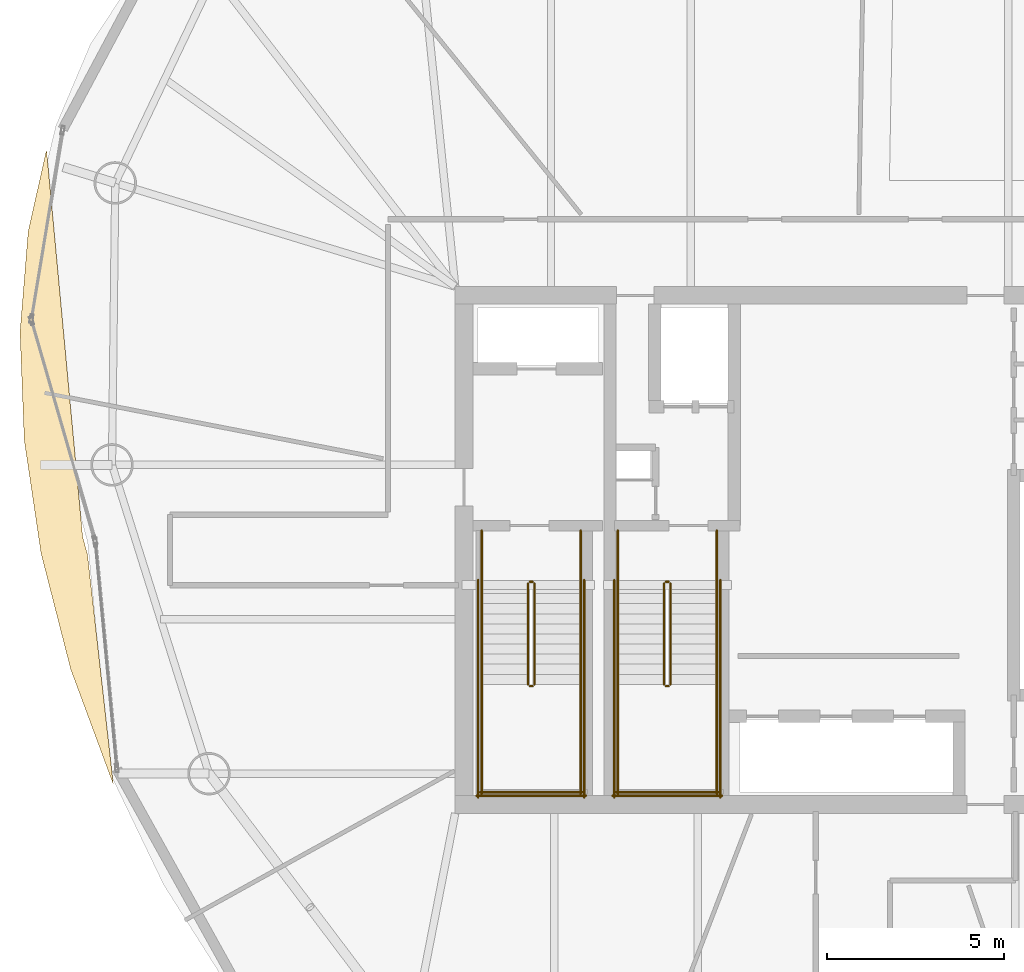
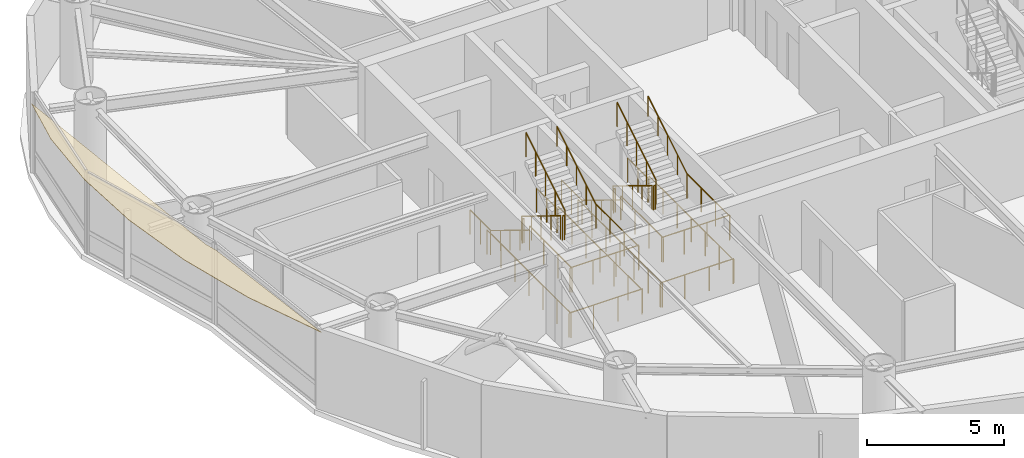
# One storey, part 19 of 21: 28 railings, 1 covering.
"""IFC4 building model written with IfcOpenShell, lengths in metres."""

from ifc_helpers import new_model, si_unit, direction, frame, origin, origin_2d, place, context, subcontext, project, spatial, polyline, circle, outline, extrude, material, layer, layer_set, type_object, element, save


model = new_model("IFC4")

# Units and contexts
model_context = context("Model", 3, precision=1e-05, world=origin(), true_north=direction((0.0, 1.0)))
body_context = subcontext(model_context, "Body", "Model", "MODEL_VIEW")
ifc_project = project(units=[si_unit("LENGTHUNIT", "METRE"), si_unit("AREAUNIT", "SQUARE_METRE"), si_unit("VOLUMEUNIT", "CUBIC_METRE"), si_unit("PLANEANGLEUNIT", "RADIAN"), si_unit("MASSUNIT", "GRAM", prefix="KILO")], contexts=[model_context])

# Site, building, storey
site_placement = place(None, origin())
site = spatial("IfcSite", under=ifc_project, at=site_placement, CompositionType="ELEMENT")
building_placement = place(site_placement, origin())
building = spatial("IfcBuilding", under=site, at=building_placement, Name="Bramvorn Convention Spire", CompositionType="ELEMENT")
storey_placement = place(building_placement, frame((0.0, 0.0, 186.60009765625)))
storey = spatial("IfcBuildingStorey", under=building, at=storey_placement, Name="L47", CompositionType="ELEMENT", Elevation=186.60009765625)

# Covering
ifc_material_1 = material(Name="Champagne Bronze Aluminium Composite Soffit", Category="aluminium")
ifc_layer = layer(ifc_material_1, 0.02490234375)
ifc_layer_set = layer_set([ifc_layer], Name="Champagne Bronze Aluminium Composite Soffit - COV-CLAD-SOFFIT-25")
covering_type = type_object("IfcCoveringType", Name="COV-CLAD-SOFFIT-25", PredefinedType="CLADDING", material=ifc_layer_set)
covering_placement = place(storey_placement, frame((0.0, 0.0, 3.594970703125)))
element("IfcCovering", 1, at=covering_placement, inside=storey, type_object=covering_type, Name="L46 double-height Sky Garden bronze soffit", PredefinedType="CLADDING", context=body_context, shape_type="SweptSolid", body=[
    extrude(outline(polyline([(15.039306640625, 25.902587890625), (15.876708984375, 22.62939453125), (17.0830078125, 19.368408203125), (16.353515625, 25.8671875), (16.216064453125, 26.3701171875), (15.193603515625, 37.3203125), (14.675537109375, 35.013916015625), (14.443359375, 32.160888671875), (14.563720703125, 29.104248046875), (15.039306640625, 25.902587890625)])), origin(), (0.0, 0.0, 1.0), 0.02490234375),
])

# Railings
ifc_material_2 = material(Name="Painted Steel Balustrade & Guardrail", Category="steel")
railing_type_1 = type_object("IfcRailingType", Name="RL-STAIR-GUARD-1100", PredefinedType="GUARDRAIL", material=ifc_material_2)
railing_1_placement = place(storey_placement, frame((28.81005859375, 25.050048828125, 0.1748046875)))
element("IfcRailing", 2, at=railing_1_placement, inside=storey, type_object=railing_type_1, Name="L47 ST1 stair guard 1", PredefinedType="GUARDRAIL", context=body_context, shape_type="SweptSolid", body=[
    extrude(circle(Radius=0.02392578125, at=origin_2d()), frame((0.0, 0.0, 1.076171875), z_axis=(0.0, -0.852179220489, 0.52325001306), x_axis=(1.0, 0.0, 0.0)), (0.0, 0.0, 1.0), 3.344482421875),
    extrude(circle(Radius=0.02099609375, at=origin_2d()), origin(), (0.0, 0.0, 1.0), 1.052001953125),
    extrude(circle(Radius=0.02099609375, at=origin_2d()), frame((0.0, -0.71240234375, 0.4375)), (0.0, 0.0, 1.0), 1.052001953125),
    extrude(circle(Radius=0.02099609375, at=origin_2d()), frame((0.0, -1.425048828125, 0.875)), (0.0, 0.0, 1.0), 1.052001953125),
    extrude(circle(Radius=0.02099609375, at=origin_2d()), frame((0.0, -2.1376953125, 1.3125)), (0.0, 0.0, 1.0), 1.052001953125),
    extrude(circle(Radius=0.02099609375, at=origin_2d()), frame((0.0, -2.85009765625, 1.75)), (0.0, 0.0, 1.0), 1.052001953125),
])
railing_2_placement = place(storey_placement, frame((28.860107421875, 22.14990234375, 1.9248046875)))
element("IfcRailing", 3, at=railing_2_placement, inside=storey, type_object=railing_type_1, Name="L47 ST1 stair guard 2", PredefinedType="GUARDRAIL", context=body_context, shape_type="SweptSolid", body=[
    extrude(circle(Radius=0.02392578125, at=origin_2d()), frame((0.0, 0.0, 1.076171875), z_axis=(1.0, 0.0, 0.0), x_axis=(0.0, 1.0, 0.0)), (0.0, 0.0, 1.0), 0.079833984375),
    extrude(circle(Radius=0.02099609375, at=origin_2d()), origin(), (0.0, 0.0, 1.0), 1.052001953125),
    extrude(circle(Radius=0.02099609375, at=origin_2d()), frame((0.079833984375, 0.0, 0.0)), (0.0, 0.0, 1.0), 1.052001953125),
])
for number, where, name in (
    (4, (27.5, 22.199951171875, 1.9248046875), "L47 ST1 stair guard 3"),
    (5, (30.300048828125, 22.199951171875, 1.9248046875), "L47 ST1 stair guard 4"),
):
    element("IfcRailing", number, at=place(storey_placement, frame(where)), inside=storey, type_object=railing_type_1, Name=name, PredefinedType="GUARDRAIL", context=body_context, shape_type="SweptSolid", body=[
        extrude(circle(Radius=0.02392578125, at=origin_2d()), frame((0.0, 0.0, 1.076171875), z_axis=(0.0, -1.0, 0.0), x_axis=(1.0, 0.0, 0.0)), (0.0, 0.0, 1.0), 3.099853515625),
        extrude(circle(Radius=0.02099609375, at=origin_2d()), origin(), (0.0, 0.0, 1.0), 1.052001953125),
        extrude(circle(Radius=0.02099609375, at=origin_2d()), frame((0.0, -1.033203125, 0.0)), (0.0, 0.0, 1.0), 1.052001953125),
        extrude(circle(Radius=0.02099609375, at=origin_2d()), frame((0.0, -2.066650390625, 0.0)), (0.0, 0.0, 1.0), 1.052001953125),
        extrude(circle(Radius=0.02099609375, at=origin_2d()), frame((0.0, -3.099853515625, 0.0)), (0.0, 0.0, 1.0), 1.052001953125),
    ])
railing_3_placement = place(storey_placement, frame((27.449951171875, 19.14990234375, 1.9248046875)))
element("IfcRailing", 6, at=railing_3_placement, inside=storey, type_object=railing_type_1, Name="L47 ST1 stair guard 5", PredefinedType="GUARDRAIL", context=body_context, shape_type="SweptSolid", body=[
    extrude(circle(Radius=0.02392578125, at=origin_2d()), frame((0.0, 0.0, 1.076171875), z_axis=(1.0, 0.0, 0.0), x_axis=(0.0, 1.0, 0.0)), (0.0, 0.0, 1.0), 2.900146484375),
    extrude(circle(Radius=0.02099609375, at=origin_2d()), origin(), (0.0, 0.0, 1.0), 1.052001953125),
    extrude(circle(Radius=0.02099609375, at=origin_2d()), frame((0.966796875, 0.0, 0.0)), (0.0, 0.0, 1.0), 1.052001953125),
    extrude(circle(Radius=0.02099609375, at=origin_2d()), frame((1.933349609375, 0.0, 0.0)), (0.0, 0.0, 1.0), 1.052001953125),
    extrude(circle(Radius=0.02099609375, at=origin_2d()), frame((2.900146484375, 0.0, 0.0)), (0.0, 0.0, 1.0), 1.052001953125),
])
railing_4_placement = place(storey_placement, frame((28.989990234375, 22.199951171875, 2.099853515625)))
element("IfcRailing", 7, at=railing_4_placement, inside=storey, type_object=railing_type_1, Name="L47 ST1 stair guard 6", PredefinedType="GUARDRAIL", context=body_context, shape_type="SweptSolid", body=[
    extrude(circle(Radius=0.02392578125, at=origin_2d()), frame((0.0, 0.0, 1.076171875), z_axis=(0.0, 0.852179220489, 0.52325001306), x_axis=(-1.0, 0.0, 0.0)), (0.0, 0.0, 1.0), 3.344482421875),
    extrude(circle(Radius=0.02099609375, at=origin_2d()), origin(), (0.0, 0.0, 1.0), 1.052001953125),
    extrude(circle(Radius=0.02099609375, at=origin_2d()), frame((0.0, 0.71240234375, 0.4375)), (0.0, 0.0, 1.0), 1.052001953125),
    extrude(circle(Radius=0.02099609375, at=origin_2d()), frame((0.0, 1.425048828125, 0.875)), (0.0, 0.0, 1.0), 1.052001953125),
    extrude(circle(Radius=0.02099609375, at=origin_2d()), frame((0.0, 2.1376953125, 1.3125)), (0.0, 0.0, 1.0), 1.052001953125),
    extrude(circle(Radius=0.02099609375, at=origin_2d()), frame((0.0, 2.85009765625, 1.75)), (0.0, 0.0, 1.0), 1.052001953125),
])
railing_5_placement = place(storey_placement, frame((28.860107421875, 25.10009765625, 0.0)))
element("IfcRailing", 8, at=railing_5_placement, inside=storey, type_object=railing_type_1, Name="L47 ST1 stair guard 7", PredefinedType="GUARDRAIL", context=body_context, shape_type="SweptSolid", body=[
    extrude(circle(Radius=0.02392578125, at=origin_2d()), frame((0.0, 0.0, 1.076171875), z_axis=(1.0, 0.0, 0.0), x_axis=(0.0, 1.0, 0.0)), (0.0, 0.0, 1.0), 0.079833984375),
    extrude(circle(Radius=0.02099609375, at=origin_2d()), origin(), (0.0, 0.0, 1.0), 1.052001953125),
    extrude(circle(Radius=0.02099609375, at=origin_2d()), frame((0.079833984375, 0.0, 0.0)), (0.0, 0.0, 1.0), 1.052001953125),
])
for number, where, name in (
    (9, (27.5, 26.550048828125, 0.0), "L47 ST1 stair guard 8"),
    (10, (30.300048828125, 26.550048828125, 0.0), "L47 ST1 stair guard 9"),
):
    element("IfcRailing", number, at=place(storey_placement, frame(where)), inside=storey, type_object=railing_type_1, Name=name, PredefinedType="GUARDRAIL", context=body_context, shape_type="SweptSolid", body=[
        extrude(circle(Radius=0.02392578125, at=origin_2d()), frame((0.0, 0.0, 1.076171875), z_axis=(0.0, -1.0, 0.0), x_axis=(1.0, 0.0, 0.0)), (0.0, 0.0, 1.0), 1.5),
        extrude(circle(Radius=0.02099609375, at=origin_2d()), origin(), (0.0, 0.0, 1.0), 1.052001953125),
        extrude(circle(Radius=0.02099609375, at=origin_2d()), frame((0.0, -0.75, 0.0)), (0.0, 0.0, 1.0), 1.052001953125),
        extrude(circle(Radius=0.02099609375, at=origin_2d()), frame((0.0, -1.5, 0.0)), (0.0, 0.0, 1.0), 1.052001953125),
    ])
for number, where, name in (
    (11, (27.39990234375, 25.14990234375, 0.0), "L47 ST1 stair guard 10"),
    (12, (30.39990234375, 25.14990234375, 0.0), "L47 ST1 stair guard 11"),
):
    element("IfcRailing", number, at=place(storey_placement, frame(where)), inside=storey, type_object=railing_type_1, Name=name, PredefinedType="GUARDRAIL", context=body_context, shape_type="SweptSolid", body=[
        extrude(circle(Radius=0.02392578125, at=origin_2d()), frame((0.0, 0.0, 1.076171875), z_axis=(0.0, -1.0, 0.0), x_axis=(1.0, 0.0, 0.0)), (0.0, 0.0, 1.0), 6.14990234375),
        extrude(circle(Radius=0.02099609375, at=origin_2d()), origin(), (0.0, 0.0, 1.0), 1.052001953125),
        extrude(circle(Radius=0.02099609375, at=origin_2d()), frame((0.0, -1.02490234375, 0.0)), (0.0, 0.0, 1.0), 1.052001953125),
        extrude(circle(Radius=0.02099609375, at=origin_2d()), frame((0.0, -2.050048828125, 0.0)), (0.0, 0.0, 1.0), 1.052001953125),
        extrude(circle(Radius=0.02099609375, at=origin_2d()), frame((0.0, -3.074951171875, 0.0)), (0.0, 0.0, 1.0), 1.052001953125),
        extrude(circle(Radius=0.02099609375, at=origin_2d()), frame((0.0, -4.099853515625, 0.0)), (0.0, 0.0, 1.0), 1.052001953125),
        extrude(circle(Radius=0.02099609375, at=origin_2d()), frame((0.0, -5.125, 0.0)), (0.0, 0.0, 1.0), 1.052001953125),
        extrude(circle(Radius=0.02099609375, at=origin_2d()), frame((0.0, -6.14990234375, 0.0)), (0.0, 0.0, 1.0), 1.052001953125),
    ])
railing_6_placement = place(storey_placement, frame((27.35009765625, 19.050048828125, 0.0)))
element("IfcRailing", 13, at=railing_6_placement, inside=storey, type_object=railing_type_1, Name="L47 ST1 stair guard 12", PredefinedType="GUARDRAIL", context=body_context, shape_type="SweptSolid", body=[
    extrude(circle(Radius=0.02392578125, at=origin_2d()), frame((0.0, 0.0, 1.076171875), z_axis=(1.0, 0.0, 0.0), x_axis=(0.0, 1.0, 0.0)), (0.0, 0.0, 1.0), 3.099853515625),
    extrude(circle(Radius=0.02099609375, at=origin_2d()), origin(), (0.0, 0.0, 1.0), 1.052001953125),
    extrude(circle(Radius=0.02099609375, at=origin_2d()), frame((1.033203125, 0.0, 0.0)), (0.0, 0.0, 1.0), 1.052001953125),
    extrude(circle(Radius=0.02099609375, at=origin_2d()), frame((2.066650390625, 0.0, 0.0)), (0.0, 0.0, 1.0), 1.052001953125),
    extrude(circle(Radius=0.02099609375, at=origin_2d()), frame((3.099853515625, 0.0, 0.0)), (0.0, 0.0, 1.0), 1.052001953125),
])
railing_7_placement = place(storey_placement, frame((32.659912109375, 25.050048828125, 0.1748046875)))
element("IfcRailing", 14, at=railing_7_placement, inside=storey, type_object=railing_type_1, Name="L47 ST3 stair guard 1", PredefinedType="GUARDRAIL", context=body_context, shape_type="SweptSolid", body=[
    extrude(circle(Radius=0.02392578125, at=origin_2d()), frame((0.0, 0.0, 1.076171875), z_axis=(0.0, -0.852179220489, 0.52325001306), x_axis=(1.0, 0.0, 0.0)), (0.0, 0.0, 1.0), 3.344482421875),
    extrude(circle(Radius=0.02099609375, at=origin_2d()), origin(), (0.0, 0.0, 1.0), 1.052001953125),
    extrude(circle(Radius=0.02099609375, at=origin_2d()), frame((0.0, -0.71240234375, 0.4375)), (0.0, 0.0, 1.0), 1.052001953125),
    extrude(circle(Radius=0.02099609375, at=origin_2d()), frame((0.0, -1.425048828125, 0.875)), (0.0, 0.0, 1.0), 1.052001953125),
    extrude(circle(Radius=0.02099609375, at=origin_2d()), frame((0.0, -2.1376953125, 1.3125)), (0.0, 0.0, 1.0), 1.052001953125),
    extrude(circle(Radius=0.02099609375, at=origin_2d()), frame((0.0, -2.85009765625, 1.75)), (0.0, 0.0, 1.0), 1.052001953125),
])
railing_8_placement = place(storey_placement, frame((32.7099609375, 22.14990234375, 1.9248046875)))
element("IfcRailing", 15, at=railing_8_placement, inside=storey, type_object=railing_type_1, Name="L47 ST3 stair guard 2", PredefinedType="GUARDRAIL", context=body_context, shape_type="SweptSolid", body=[
    extrude(circle(Radius=0.02392578125, at=origin_2d()), frame((0.0, 0.0, 1.076171875), z_axis=(1.0, 0.0, 0.0), x_axis=(0.0, 1.0, 0.0)), (0.0, 0.0, 1.0), 0.080078125),
    extrude(circle(Radius=0.02099609375, at=origin_2d()), origin(), (0.0, 0.0, 1.0), 1.052001953125),
    extrude(circle(Radius=0.02099609375, at=origin_2d()), frame((0.080078125, 0.0, 0.0)), (0.0, 0.0, 1.0), 1.052001953125),
])
for number, where, name in (
    (16, (31.35009765625, 22.199951171875, 1.9248046875), "L47 ST3 stair guard 3"),
    (17, (34.14990234375, 22.199951171875, 1.9248046875), "L47 ST3 stair guard 4"),
):
    element("IfcRailing", number, at=place(storey_placement, frame(where)), inside=storey, type_object=railing_type_1, Name=name, PredefinedType="GUARDRAIL", context=body_context, shape_type="SweptSolid", body=[
        extrude(circle(Radius=0.02392578125, at=origin_2d()), frame((0.0, 0.0, 1.076171875), z_axis=(0.0, -1.0, 0.0), x_axis=(1.0, 0.0, 0.0)), (0.0, 0.0, 1.0), 3.099853515625),
        extrude(circle(Radius=0.02099609375, at=origin_2d()), origin(), (0.0, 0.0, 1.0), 1.052001953125),
        extrude(circle(Radius=0.02099609375, at=origin_2d()), frame((0.0, -1.033203125, 0.0)), (0.0, 0.0, 1.0), 1.052001953125),
        extrude(circle(Radius=0.02099609375, at=origin_2d()), frame((0.0, -2.066650390625, 0.0)), (0.0, 0.0, 1.0), 1.052001953125),
        extrude(circle(Radius=0.02099609375, at=origin_2d()), frame((0.0, -3.099853515625, 0.0)), (0.0, 0.0, 1.0), 1.052001953125),
    ])
railing_9_placement = place(storey_placement, frame((31.300048828125, 19.14990234375, 1.9248046875)))
element("IfcRailing", 18, at=railing_9_placement, inside=storey, type_object=railing_type_1, Name="L47 ST3 stair guard 5", PredefinedType="GUARDRAIL", context=body_context, shape_type="SweptSolid", body=[
    extrude(circle(Radius=0.02392578125, at=origin_2d()), frame((0.0, 0.0, 1.076171875), z_axis=(1.0, 0.0, 0.0), x_axis=(0.0, 1.0, 0.0)), (0.0, 0.0, 1.0), 2.89990234375),
    extrude(circle(Radius=0.02099609375, at=origin_2d()), origin(), (0.0, 0.0, 1.0), 1.052001953125),
    extrude(circle(Radius=0.02099609375, at=origin_2d()), frame((0.966552734375, 0.0, 0.0)), (0.0, 0.0, 1.0), 1.052001953125),
    extrude(circle(Radius=0.02099609375, at=origin_2d()), frame((1.933349609375, 0.0, 0.0)), (0.0, 0.0, 1.0), 1.052001953125),
    extrude(circle(Radius=0.02099609375, at=origin_2d()), frame((2.89990234375, 0.0, 0.0)), (0.0, 0.0, 1.0), 1.052001953125),
])
railing_10_placement = place(storey_placement, frame((32.840087890625, 22.199951171875, 2.099853515625)))
element("IfcRailing", 19, at=railing_10_placement, inside=storey, type_object=railing_type_1, Name="L47 ST3 stair guard 6", PredefinedType="GUARDRAIL", context=body_context, shape_type="SweptSolid", body=[
    extrude(circle(Radius=0.02392578125, at=origin_2d()), frame((0.0, 0.0, 1.076171875), z_axis=(0.0, 0.852179220489, 0.52325001306), x_axis=(-1.0, 0.0, 0.0)), (0.0, 0.0, 1.0), 3.344482421875),
    extrude(circle(Radius=0.02099609375, at=origin_2d()), origin(), (0.0, 0.0, 1.0), 1.052001953125),
    extrude(circle(Radius=0.02099609375, at=origin_2d()), frame((0.0, 0.71240234375, 0.4375)), (0.0, 0.0, 1.0), 1.052001953125),
    extrude(circle(Radius=0.02099609375, at=origin_2d()), frame((0.0, 1.425048828125, 0.875)), (0.0, 0.0, 1.0), 1.052001953125),
    extrude(circle(Radius=0.02099609375, at=origin_2d()), frame((0.0, 2.1376953125, 1.3125)), (0.0, 0.0, 1.0), 1.052001953125),
    extrude(circle(Radius=0.02099609375, at=origin_2d()), frame((0.0, 2.85009765625, 1.75)), (0.0, 0.0, 1.0), 1.052001953125),
])
railing_11_placement = place(storey_placement, frame((32.7099609375, 25.10009765625, 0.0)))
element("IfcRailing", 20, at=railing_11_placement, inside=storey, type_object=railing_type_1, Name="L47 ST3 stair guard 7", PredefinedType="GUARDRAIL", context=body_context, shape_type="SweptSolid", body=[
    extrude(circle(Radius=0.02392578125, at=origin_2d()), frame((0.0, 0.0, 1.076171875), z_axis=(1.0, 0.0, 0.0), x_axis=(0.0, 1.0, 0.0)), (0.0, 0.0, 1.0), 0.080078125),
    extrude(circle(Radius=0.02099609375, at=origin_2d()), origin(), (0.0, 0.0, 1.0), 1.052001953125),
    extrude(circle(Radius=0.02099609375, at=origin_2d()), frame((0.080078125, 0.0, 0.0)), (0.0, 0.0, 1.0), 1.052001953125),
])
for number, where, name in (
    (21, (31.35009765625, 26.550048828125, 0.0), "L47 ST3 stair guard 8"),
    (22, (34.14990234375, 26.550048828125, 0.0), "L47 ST3 stair guard 9"),
):
    element("IfcRailing", number, at=place(storey_placement, frame(where)), inside=storey, type_object=railing_type_1, Name=name, PredefinedType="GUARDRAIL", context=body_context, shape_type="SweptSolid", body=[
        extrude(circle(Radius=0.02392578125, at=origin_2d()), frame((0.0, 0.0, 1.076171875), z_axis=(0.0, -1.0, 0.0), x_axis=(1.0, 0.0, 0.0)), (0.0, 0.0, 1.0), 1.5),
        extrude(circle(Radius=0.02099609375, at=origin_2d()), origin(), (0.0, 0.0, 1.0), 1.052001953125),
        extrude(circle(Radius=0.02099609375, at=origin_2d()), frame((0.0, -0.75, 0.0)), (0.0, 0.0, 1.0), 1.052001953125),
        extrude(circle(Radius=0.02099609375, at=origin_2d()), frame((0.0, -1.5, 0.0)), (0.0, 0.0, 1.0), 1.052001953125),
    ])
for number, where, name in (
    (23, (31.25, 25.14990234375, 0.0), "L47 ST3 stair guard 10"),
    (24, (34.25, 25.14990234375, 0.0), "L47 ST3 stair guard 11"),
):
    element("IfcRailing", number, at=place(storey_placement, frame(where)), inside=storey, type_object=railing_type_1, Name=name, PredefinedType="GUARDRAIL", context=body_context, shape_type="SweptSolid", body=[
        extrude(circle(Radius=0.02392578125, at=origin_2d()), frame((0.0, 0.0, 1.076171875), z_axis=(0.0, -1.0, 0.0), x_axis=(1.0, 0.0, 0.0)), (0.0, 0.0, 1.0), 6.14990234375),
        extrude(circle(Radius=0.02099609375, at=origin_2d()), origin(), (0.0, 0.0, 1.0), 1.052001953125),
        extrude(circle(Radius=0.02099609375, at=origin_2d()), frame((0.0, -1.02490234375, 0.0)), (0.0, 0.0, 1.0), 1.052001953125),
        extrude(circle(Radius=0.02099609375, at=origin_2d()), frame((0.0, -2.050048828125, 0.0)), (0.0, 0.0, 1.0), 1.052001953125),
        extrude(circle(Radius=0.02099609375, at=origin_2d()), frame((0.0, -3.074951171875, 0.0)), (0.0, 0.0, 1.0), 1.052001953125),
        extrude(circle(Radius=0.02099609375, at=origin_2d()), frame((0.0, -4.099853515625, 0.0)), (0.0, 0.0, 1.0), 1.052001953125),
        extrude(circle(Radius=0.02099609375, at=origin_2d()), frame((0.0, -5.125, 0.0)), (0.0, 0.0, 1.0), 1.052001953125),
        extrude(circle(Radius=0.02099609375, at=origin_2d()), frame((0.0, -6.14990234375, 0.0)), (0.0, 0.0, 1.0), 1.052001953125),
    ])
railing_12_placement = place(storey_placement, frame((31.199951171875, 19.050048828125, 0.0)))
element("IfcRailing", 25, at=railing_12_placement, inside=storey, type_object=railing_type_1, Name="L47 ST3 stair guard 12", PredefinedType="GUARDRAIL", context=body_context, shape_type="SweptSolid", body=[
    extrude(circle(Radius=0.02392578125, at=origin_2d()), frame((0.0, 0.0, 1.076171875), z_axis=(1.0, 0.0, 0.0), x_axis=(0.0, 1.0, 0.0)), (0.0, 0.0, 1.0), 3.10009765625),
    extrude(circle(Radius=0.02099609375, at=origin_2d()), origin(), (0.0, 0.0, 1.0), 1.052001953125),
    extrude(circle(Radius=0.02099609375, at=origin_2d()), frame((1.033447265625, 0.0, 0.0)), (0.0, 0.0, 1.0), 1.052001953125),
    extrude(circle(Radius=0.02099609375, at=origin_2d()), frame((2.066650390625, 0.0, 0.0)), (0.0, 0.0, 1.0), 1.052001953125),
    extrude(circle(Radius=0.02099609375, at=origin_2d()), frame((3.10009765625, 0.0, 0.0)), (0.0, 0.0, 1.0), 1.052001953125),
])
ifc_material_3 = material(Name="Brushed Bronze Tubular Handrail", Category="aluminium")
railing_type_2 = type_object("IfcRailingType", Name="RL-STAIR-HR-920", PredefinedType="HANDRAIL", material=ifc_material_3)
railing_13_placement = place(storey_placement, frame((27.5, 25.050048828125, 0.1748046875)))
element("IfcRailing", 26, at=railing_13_placement, inside=storey, type_object=railing_type_2, Name="L47 ST1 stair handrail 1", PredefinedType="HANDRAIL", context=body_context, shape_type="SweptSolid", body=[
    extrude(circle(Radius=0.02392578125, at=origin_2d()), frame((0.0, 0.0, 0.89599609375), z_axis=(0.0, -0.852179220489, 0.52325001306), x_axis=(1.0, 0.0, 0.0)), (0.0, 0.0, 1.0), 3.344482421875),
    extrude(circle(Radius=0.02099609375, at=origin_2d()), origin(), (0.0, 0.0, 1.0), 0.871826171875),
    extrude(circle(Radius=0.02099609375, at=origin_2d()), frame((0.0, -0.71240234375, 0.4375)), (0.0, 0.0, 1.0), 0.871826171875),
    extrude(circle(Radius=0.02099609375, at=origin_2d()), frame((0.0, -1.425048828125, 0.875)), (0.0, 0.0, 1.0), 0.871826171875),
    extrude(circle(Radius=0.02099609375, at=origin_2d()), frame((0.0, -2.1376953125, 1.3125)), (0.0, 0.0, 1.0), 0.871826171875),
    extrude(circle(Radius=0.02099609375, at=origin_2d()), frame((0.0, -2.85009765625, 1.75)), (0.0, 0.0, 1.0), 0.871826171875),
])
railing_14_placement = place(storey_placement, frame((30.300048828125, 22.199951171875, 2.099853515625)))
element("IfcRailing", 27, at=railing_14_placement, inside=storey, type_object=railing_type_2, Name="L47 ST1 stair handrail 2", PredefinedType="HANDRAIL", context=body_context, shape_type="SweptSolid", body=[
    extrude(circle(Radius=0.02392578125, at=origin_2d()), frame((0.0, 0.0, 0.89599609375), z_axis=(0.0, 0.852179220489, 0.52325001306), x_axis=(-1.0, 0.0, 0.0)), (0.0, 0.0, 1.0), 3.344482421875),
    extrude(circle(Radius=0.02099609375, at=origin_2d()), origin(), (0.0, 0.0, 1.0), 0.871826171875),
    extrude(circle(Radius=0.02099609375, at=origin_2d()), frame((0.0, 0.71240234375, 0.4375)), (0.0, 0.0, 1.0), 0.871826171875),
    extrude(circle(Radius=0.02099609375, at=origin_2d()), frame((0.0, 1.425048828125, 0.875)), (0.0, 0.0, 1.0), 0.871826171875),
    extrude(circle(Radius=0.02099609375, at=origin_2d()), frame((0.0, 2.1376953125, 1.3125)), (0.0, 0.0, 1.0), 0.871826171875),
    extrude(circle(Radius=0.02099609375, at=origin_2d()), frame((0.0, 2.85009765625, 1.75)), (0.0, 0.0, 1.0), 0.871826171875),
])
railing_15_placement = place(storey_placement, frame((31.35009765625, 25.050048828125, 0.1748046875)))
element("IfcRailing", 28, at=railing_15_placement, inside=storey, type_object=railing_type_2, Name="L47 ST3 stair handrail 1", PredefinedType="HANDRAIL", context=body_context, shape_type="SweptSolid", body=[
    extrude(circle(Radius=0.02392578125, at=origin_2d()), frame((0.0, 0.0, 0.89599609375), z_axis=(0.0, -0.852179220489, 0.52325001306), x_axis=(1.0, 0.0, 0.0)), (0.0, 0.0, 1.0), 3.344482421875),
    extrude(circle(Radius=0.02099609375, at=origin_2d()), origin(), (0.0, 0.0, 1.0), 0.871826171875),
    extrude(circle(Radius=0.02099609375, at=origin_2d()), frame((0.0, -0.71240234375, 0.4375)), (0.0, 0.0, 1.0), 0.871826171875),
    extrude(circle(Radius=0.02099609375, at=origin_2d()), frame((0.0, -1.425048828125, 0.875)), (0.0, 0.0, 1.0), 0.871826171875),
    extrude(circle(Radius=0.02099609375, at=origin_2d()), frame((0.0, -2.1376953125, 1.3125)), (0.0, 0.0, 1.0), 0.871826171875),
    extrude(circle(Radius=0.02099609375, at=origin_2d()), frame((0.0, -2.85009765625, 1.75)), (0.0, 0.0, 1.0), 0.871826171875),
])
railing_16_placement = place(storey_placement, frame((34.14990234375, 22.199951171875, 2.099853515625)))
element("IfcRailing", 29, at=railing_16_placement, inside=storey, type_object=railing_type_2, Name="L47 ST3 stair handrail 2", PredefinedType="HANDRAIL", context=body_context, shape_type="SweptSolid", body=[
    extrude(circle(Radius=0.02392578125, at=origin_2d()), frame((0.0, 0.0, 0.89599609375), z_axis=(0.0, 0.852179220489, 0.52325001306), x_axis=(-1.0, 0.0, 0.0)), (0.0, 0.0, 1.0), 3.344482421875),
    extrude(circle(Radius=0.02099609375, at=origin_2d()), origin(), (0.0, 0.0, 1.0), 0.871826171875),
    extrude(circle(Radius=0.02099609375, at=origin_2d()), frame((0.0, 0.71240234375, 0.4375)), (0.0, 0.0, 1.0), 0.871826171875),
    extrude(circle(Radius=0.02099609375, at=origin_2d()), frame((0.0, 1.425048828125, 0.875)), (0.0, 0.0, 1.0), 0.871826171875),
    extrude(circle(Radius=0.02099609375, at=origin_2d()), frame((0.0, 2.1376953125, 1.3125)), (0.0, 0.0, 1.0), 0.871826171875),
    extrude(circle(Radius=0.02099609375, at=origin_2d()), frame((0.0, 2.85009765625, 1.75)), (0.0, 0.0, 1.0), 0.871826171875),
])

save(model, "model.ifc")
